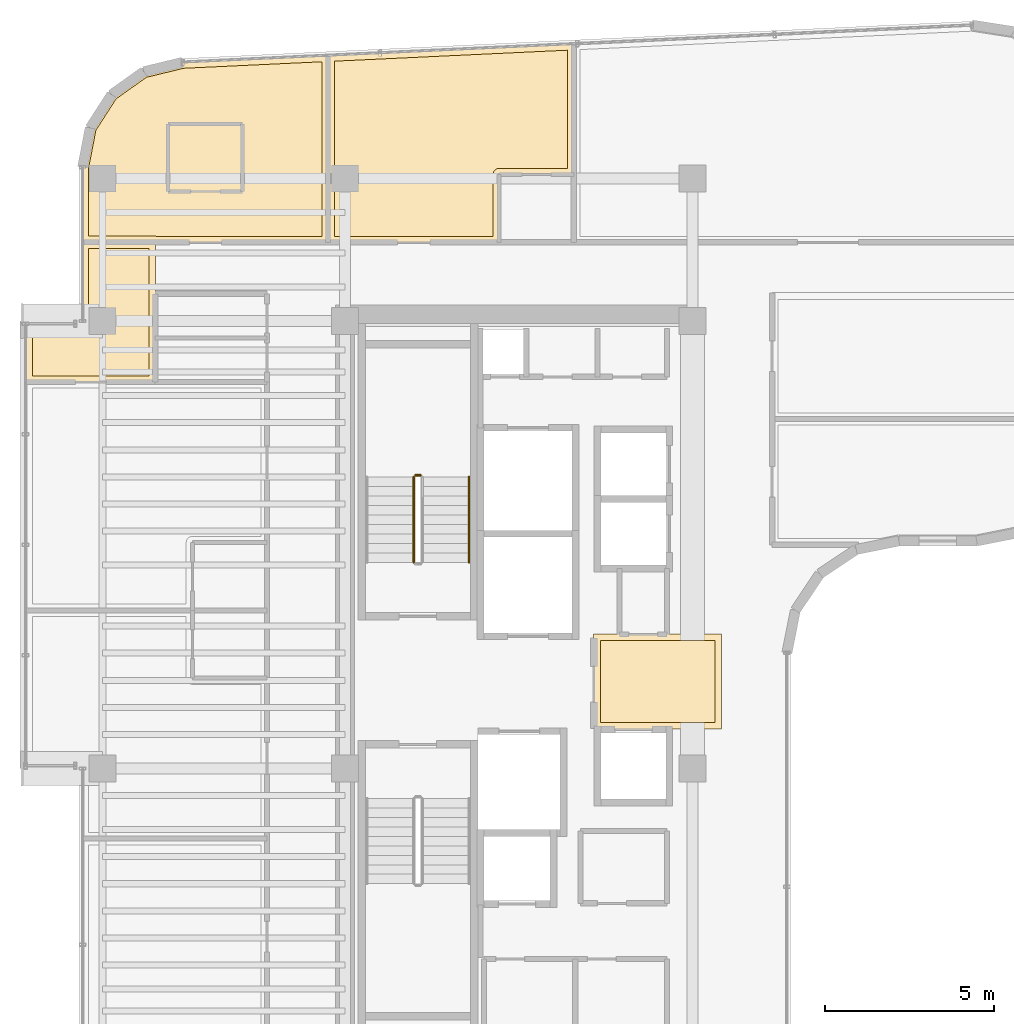
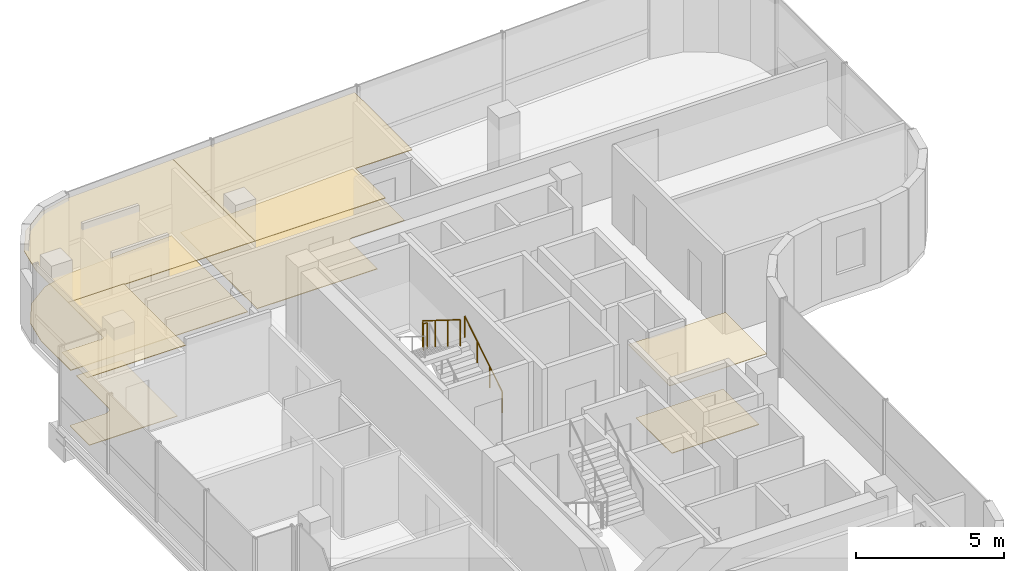
# One storey, part 19 of 20: 8 coverings, 3 railings.
"""IFC4 building model written with IfcOpenShell, lengths in metres."""

from ifc_helpers import new_model, si_unit, direction, frame, origin, origin_2d, place, context, subcontext, project, spatial, polyline, circle, outline, extrude, material, layer, layer_set, type_object, element, save


model = new_model("IFC4")

# Units and contexts
model_context = context("Model", 3, precision=1e-05, world=origin(), true_north=direction((0.0, 1.0)))
body_context = subcontext(model_context, "Body", "Model", "MODEL_VIEW")
ifc_project = project(units=[si_unit("LENGTHUNIT", "METRE"), si_unit("AREAUNIT", "SQUARE_METRE"), si_unit("VOLUMEUNIT", "CUBIC_METRE"), si_unit("PLANEANGLEUNIT", "RADIAN"), si_unit("MASSUNIT", "GRAM", prefix="KILO")], contexts=[model_context])

# Site, building, storey
site_placement = place(None, origin())
site = spatial("IfcSite", under=ifc_project, at=site_placement, CompositionType="ELEMENT")
building_placement = place(site_placement, origin())
building = spatial("IfcBuilding", under=site, at=building_placement, Name="Valdorenza Pilgrim Sanctuary Tower", CompositionType="ELEMENT")
storey_placement = place(building_placement, frame((0.0, 0.0, 280.0)))
storey = spatial("IfcBuildingStorey", under=building, at=storey_placement, Name="L73", CompositionType="ELEMENT", Elevation=280.0)

# Coverings
ifc_material_1 = material(Name="Micro-perforated acoustic mineral ceiling tile", Category="gypsum")
ifc_layer_1 = layer(ifc_material_1, 0.02490234375, Name="Micro-perforated acoustic mineral ceiling tile")
ifc_layer_set_1 = layer_set([ifc_layer_1], Name="Micro-perforated acoustic mineral ceiling tile")
covering_type_1 = type_object("IfcCoveringType", Name="COV-CLG-ACU", PredefinedType="CEILING", material=ifc_layer_set_1)
covering_1_placement = place(storey_placement, frame((0.0, 0.0, 2.9599609375)))
element("IfcCovering", 1, at=covering_1_placement, inside=storey, type_object=covering_type_1, Name="L73 Core A Passenger Lift Lobby Acoustic Ceiling", PredefinedType="CEILING", context=body_context, shape_type="SweptSolid", body=[
    extrude(outline(polyline([(-15.31494140625, 1.35009765625), (-15.31494140625, 1.3515625), (-15.314697265625, 1.352783203125), (-15.314453125, 1.3544921875), (-15.31396484375, 1.355712890625), (-15.313232421875, 1.357177734375), (-15.3125, 1.3583984375), (-15.3115234375, 1.359619140625), (-15.310546875, 1.360595703125), (-15.3095703125, 1.361572265625), (-15.308349609375, 1.362548828125), (-15.30712890625, 1.36328125), (-15.3056640625, 1.364013671875), (-15.304443359375, 1.364501953125), (-15.302978515625, 1.36474609375), (-15.301513671875, 1.364990234375), (-15.300048828125, 1.364990234375), (-11.550048828125, 1.364990234375), (-11.548583984375, 1.364990234375), (-11.547119140625, 1.36474609375), (-11.545654296875, 1.364501953125), (-11.544189453125, 1.364013671875), (-11.54296875, 1.36328125), (-11.541748046875, 1.362548828125), (-11.54052734375, 1.361572265625), (-11.539306640625, 1.360595703125), (-11.538330078125, 1.359619140625), (-11.53759765625, 1.3583984375), (-11.536865234375, 1.357177734375), (-11.5361328125, 1.355712890625), (-11.53564453125, 1.3544921875), (-11.535400390625, 1.352783203125), (-11.53515625, 1.3515625), (-11.534912109375, 1.35009765625), (-11.534912109375, -1.419921875), (-11.53515625, -1.42138671875), (-11.535400390625, -1.4228515625), (-11.53564453125, -1.42431640625), (-11.5361328125, -1.42578125), (-11.536865234375, -1.427001953125), (-11.53759765625, -1.42822265625), (-11.538330078125, -1.429443359375), (-11.539306640625, -1.4306640625), (-11.54052734375, -1.431640625), (-11.541748046875, -1.4326171875), (-11.54296875, -1.43310546875), (-11.544189453125, -1.433837890625), (-11.545654296875, -1.434326171875), (-11.547119140625, -1.434814453125), (-11.548583984375, -1.434814453125), (-11.550048828125, -1.43505859375), (-15.298095703125, -1.43505859375), (-15.299560546875, -1.434814453125), (-15.30078125, -1.434814453125), (-15.302490234375, -1.434326171875), (-15.3037109375, -1.433837890625), (-15.30517578125, -1.43310546875), (-15.306396484375, -1.4326171875), (-15.3076171875, -1.431640625), (-15.30859375, -1.4306640625), (-15.3095703125, -1.429443359375), (-15.310546875, -1.42822265625), (-15.311279296875, -1.427001953125), (-15.31201171875, -1.42578125), (-15.3125, -1.42431640625), (-15.312744140625, -1.4228515625), (-15.31298828125, -1.42138671875), (-15.31298828125, -1.419921875), (-15.31298828125, 1.244384765625), (-15.31298828125, 1.24462890625), (-15.313720703125, 1.24609375), (-15.314208984375, 1.24755859375), (-15.314697265625, 1.2490234375), (-15.31494140625, 1.25048828125), (-15.31494140625, 1.251953125), (-15.31494140625, 1.35009765625)])), origin(), (0.0, 0.0, 1.0), 0.025146484375),
])
covering_2_placement = place(storey_placement, frame((0.0, 0.0, 2.9599609375)))
element("IfcCovering", 2, at=covering_2_placement, inside=storey, type_object=covering_type_1, Name="L73 Pilgrim Scholar Office L73-WN Acoustic Ceiling", PredefinedType="CEILING", context=body_context, shape_type="SweptSolid", body=[
    extrude(outline(polyline([(-28.237060546875, 11.39453125), (-28.237060546875, 10.103759765625), (-28.23681640625, 10.10302734375), (-28.23681640625, 10.1015625), (-28.23681640625, 10.10009765625), (-28.23681640625, 10.098388671875), (-28.237060546875, 10.09814453125), (-28.237060546875, 8.800048828125), (-28.237060546875, 8.798583984375), (-28.2373046875, 8.797119140625), (-28.237548828125, 8.795654296875), (-28.238037109375, 8.794189453125), (-28.23876953125, 8.79296875), (-28.239501953125, 8.791748046875), (-28.240478515625, 8.79052734375), (-28.241455078125, 8.789306640625), (-28.242431640625, 8.788330078125), (-28.24365234375, 8.78759765625), (-28.244873046875, 8.786865234375), (-28.246337890625, 8.7861328125), (-28.24755859375, 8.78564453125), (-28.2490234375, 8.785400390625), (-28.25048828125, 8.78515625), (-28.251953125, 8.784912109375), (-32.0400390625, 8.784912109375), (-32.04150390625, 8.78515625), (-32.04296875, 8.785400390625), (-32.04443359375, 8.78564453125), (-32.045654296875, 8.7861328125), (-32.047119140625, 8.786865234375), (-32.04833984375, 8.78759765625), (-32.049560546875, 8.788330078125), (-32.050537109375, 8.789306640625), (-32.051513671875, 8.79052734375), (-32.052490234375, 8.791748046875), (-32.05322265625, 8.79296875), (-32.053955078125, 8.794189453125), (-32.054443359375, 8.795654296875), (-32.0546875, 8.797119140625), (-32.054931640625, 8.798583984375), (-32.054931640625, 8.800048828125), (-32.054931640625, 10.489990234375), (-32.054931640625, 10.491455078125), (-32.0546875, 10.492919921875), (-32.054443359375, 10.494384765625), (-32.053955078125, 10.49560546875), (-32.05322265625, 10.4970703125), (-32.052490234375, 10.498291015625), (-32.051513671875, 10.49951171875), (-32.050537109375, 10.50048828125), (-32.049560546875, 10.501708984375), (-32.04833984375, 10.50244140625), (-32.047119140625, 10.503173828125), (-32.045654296875, 10.50390625), (-32.04443359375, 10.50439453125), (-32.04296875, 10.504638671875), (-32.04150390625, 10.5048828125), (-32.0400390625, 10.5048828125), (-30.50048828125, 10.5048828125), (-30.49072265625, 10.505615234375), (-30.4814453125, 10.5068359375), (-30.472412109375, 10.509033203125), (-30.463623046875, 10.51220703125), (-30.455078125, 10.51611328125), (-30.447265625, 10.52099609375), (-30.439697265625, 10.526611328125), (-30.432861328125, 10.53271484375), (-30.426513671875, 10.539794921875), (-30.4208984375, 10.547119140625), (-30.416259765625, 10.55517578125), (-30.412109375, 10.563720703125), (-30.4091796875, 10.572509765625), (-30.40673828125, 10.58154296875), (-30.405517578125, 10.5908203125), (-30.405029296875, 10.600341796875), (-30.405029296875, 12.919921875), (-30.40478515625, 12.92138671875), (-30.40478515625, 12.9228515625), (-30.404296875, 12.92431640625), (-30.40380859375, 12.92578125), (-30.4033203125, 12.927001953125), (-30.402587890625, 12.92822265625), (-30.401611328125, 12.929443359375), (-30.400634765625, 12.9306640625), (-30.3994140625, 12.931640625), (-30.398193359375, 12.9326171875), (-30.397216796875, 12.93310546875), (-30.395751953125, 12.933837890625), (-30.394287109375, 12.934326171875), (-30.392822265625, 12.934814453125), (-30.3916015625, 12.934814453125), (-30.389892578125, 12.93505859375), (-28.25, 12.93505859375), (-28.24853515625, 12.934814453125), (-28.2470703125, 12.934814453125), (-28.24560546875, 12.934326171875), (-28.244384765625, 12.933837890625), (-28.242919921875, 12.93310546875), (-28.24169921875, 12.9326171875), (-28.240478515625, 12.931640625), (-28.239501953125, 12.9306640625), (-28.23828125, 12.929443359375), (-28.237548828125, 12.92822265625), (-28.23681640625, 12.927001953125), (-28.236083984375, 12.92578125), (-28.235595703125, 12.92431640625), (-28.2353515625, 12.9228515625), (-28.235107421875, 12.92138671875), (-28.235107421875, 12.919921875), (-28.235107421875, 11.402099609375), (-28.235107421875, 11.400390625), (-28.2353515625, 11.39892578125), (-28.235595703125, 11.3974609375), (-28.236083984375, 11.39599609375), (-28.23681640625, 11.394775390625), (-28.237060546875, 11.39453125)])), origin(), (0.0, 0.0, 1.0), 0.025146484375),
])
covering_3_placement = place(storey_placement, frame((0.0, 0.0, 2.9599609375)))
element("IfcCovering", 3, at=covering_3_placement, inside=storey, type_object=covering_type_1, Name="L73 North Grand Guest Room L73-N1A Acoustic Ceiling", PredefinedType="CEILING", context=body_context, shape_type="SweptSolid", body=[
    extrude(outline(polyline([(-30.181396484375, 16.298095703125), (-30.180908203125, 16.299560546875), (-30.180419921875, 16.30078125), (-30.179931640625, 16.30224609375), (-30.17919921875, 16.303466796875), (-29.547119140625, 17.286865234375), (-29.546142578125, 17.2880859375), (-29.545166015625, 17.2890625), (-29.544189453125, 17.2900390625), (-29.54296875, 17.291015625), (-28.59033203125, 17.968994140625), (-28.589111328125, 17.9697265625), (-28.587890625, 17.97021484375), (-28.586669921875, 17.970947265625), (-28.585205078125, 17.97119140625), (-27.438720703125, 18.248779296875), (-27.437255859375, 18.249267578125), (-27.435791015625, 18.249267578125), (-23.145751953125, 18.451416015625), (-23.144287109375, 18.451416015625), (-23.142578125, 18.451416015625), (-23.14111328125, 18.451171875), (-23.139892578125, 18.45068359375), (-23.138427734375, 18.449951171875), (-23.136962890625, 18.44921875), (-23.1357421875, 18.448486328125), (-23.134521484375, 18.447509765625), (-23.133544921875, 18.4462890625), (-23.1328125, 18.445068359375), (-23.1318359375, 18.44384765625), (-23.131103515625, 18.4423828125), (-23.130615234375, 18.44091796875), (-23.13037109375, 18.439697265625), (-23.130126953125, 18.43798828125), (-23.1298828125, 18.4365234375), (-23.1298828125, 12.919921875), (-23.130126953125, 12.91845703125), (-23.13037109375, 12.9169921875), (-23.130615234375, 12.91552734375), (-23.131103515625, 12.914306640625), (-23.1318359375, 12.912841796875), (-23.132568359375, 12.91162109375), (-23.13330078125, 12.910400390625), (-23.134521484375, 12.909423828125), (-23.135498046875, 12.908447265625), (-23.13671875, 12.907470703125), (-23.137939453125, 12.90673828125), (-23.139404296875, 12.906005859375), (-23.140625, 12.905517578125), (-23.14208984375, 12.9052734375), (-23.1435546875, 12.905029296875), (-23.14501953125, 12.905029296875), (-28.248046875, 12.905029296875), (-28.24951171875, 12.905029296875), (-28.250732421875, 12.9052734375), (-28.252197265625, 12.905517578125), (-28.253662109375, 12.906005859375), (-28.2548828125, 12.90673828125), (-28.25537109375, 12.906982421875), (-30.389892578125, 12.906982421875), (-30.3916015625, 12.906982421875), (-30.392822265625, 12.9072265625), (-30.394287109375, 12.90771484375), (-30.395751953125, 12.908203125), (-30.397216796875, 12.90869140625), (-30.398193359375, 12.909423828125), (-30.3994140625, 12.910400390625), (-30.400634765625, 12.911376953125), (-30.401611328125, 12.91259765625), (-30.402587890625, 12.913818359375), (-30.4033203125, 12.914794921875), (-30.40380859375, 12.916259765625), (-30.404296875, 12.91748046875), (-30.40478515625, 12.919189453125), (-30.40478515625, 12.92041015625), (-30.405029296875, 12.922119140625), (-30.405029296875, 15.13671875), (-30.40478515625, 15.13818359375), (-30.40478515625, 15.1396484375), (-30.181396484375, 16.298095703125)])), origin(), (0.0, 0.0, 1.0), 0.025146484375),
])
covering_4_placement = place(storey_placement, frame((0.0, 0.0, 2.9599609375)))
element("IfcCovering", 4, at=covering_4_placement, inside=storey, type_object=covering_type_1, Name="L73 North Grand Guest Room L73-N1B Acoustic Ceiling", PredefinedType="CEILING", context=body_context, shape_type="SweptSolid", body=[
    extrude(outline(polyline([(-23.157958984375, 18.4365234375), (-23.157958984375, 18.4375), (-23.15771484375, 18.438720703125), (-23.15771484375, 18.440185546875), (-23.156982421875, 18.441650390625), (-23.156494140625, 18.443115234375), (-23.156005859375, 18.4443359375), (-23.155029296875, 18.445556640625), (-23.154052734375, 18.44677734375), (-23.153076171875, 18.44775390625), (-23.15185546875, 18.44873046875), (-23.150634765625, 18.449462890625), (-23.1494140625, 18.4501953125), (-23.14794921875, 18.45068359375), (-23.146484375, 18.451171875), (-23.145263671875, 18.451416015625), (-23.143798828125, 18.45166015625), (-15.900634765625, 18.793212890625), (-15.899169921875, 18.793212890625), (-15.897705078125, 18.79296875), (-15.896240234375, 18.79248046875), (-15.894775390625, 18.7919921875), (-15.893310546875, 18.79150390625), (-15.89208984375, 18.790771484375), (-15.890869140625, 18.789794921875), (-15.8896484375, 18.7890625), (-15.888671875, 18.787841796875), (-15.8876953125, 18.78662109375), (-15.886962890625, 18.785400390625), (-15.88623046875, 18.783935546875), (-15.8857421875, 18.78271484375), (-15.88525390625, 18.781005859375), (-15.885009765625, 18.779541015625), (-15.885009765625, 18.778076171875), (-15.885009765625, 14.922119140625), (-15.885009765625, 14.92041015625), (-15.88525390625, 14.919189453125), (-15.885498046875, 14.91748046875), (-15.885986328125, 14.916259765625), (-15.88671875, 14.914794921875), (-15.887451171875, 14.913818359375), (-15.888427734375, 14.91259765625), (-15.889404296875, 14.911376953125), (-15.890380859375, 14.910400390625), (-15.8916015625, 14.909423828125), (-15.892822265625, 14.90869140625), (-15.894287109375, 14.908203125), (-15.8955078125, 14.90771484375), (-15.897216796875, 14.9072265625), (-15.8984375, 14.906982421875), (-15.89990234375, 14.906982421875), (-18.0869140625, 14.906982421875), (-18.0869140625, 12.919921875), (-18.087158203125, 12.91845703125), (-18.08740234375, 12.9169921875), (-18.087646484375, 12.91552734375), (-18.088134765625, 12.914306640625), (-18.0888671875, 12.912841796875), (-18.089599609375, 12.91162109375), (-18.09033203125, 12.910400390625), (-18.09130859375, 12.909423828125), (-18.092529296875, 12.908447265625), (-18.09375, 12.907470703125), (-18.094970703125, 12.90673828125), (-18.09619140625, 12.906005859375), (-18.09765625, 12.905517578125), (-18.09912109375, 12.9052734375), (-18.1005859375, 12.905029296875), (-18.10205078125, 12.905029296875), (-23.14306640625, 12.905029296875), (-23.14453125, 12.905029296875), (-23.14599609375, 12.9052734375), (-23.1474609375, 12.905517578125), (-23.148681640625, 12.906005859375), (-23.150146484375, 12.90673828125), (-23.1513671875, 12.907470703125), (-23.152587890625, 12.908447265625), (-23.153564453125, 12.909423828125), (-23.154541015625, 12.910400390625), (-23.155517578125, 12.91162109375), (-23.15625, 12.912841796875), (-23.156982421875, 12.914306640625), (-23.157470703125, 12.91552734375), (-23.15771484375, 12.9169921875), (-23.157958984375, 12.91845703125), (-23.157958984375, 12.919921875), (-23.157958984375, 18.4365234375), (-23.157958984375, 18.4365234375)])), origin(), (0.0, 0.0, 1.0), 0.025146484375),
])
ifc_material_2 = material(Name="Engineered European oak timber flooring", Category="wood")
ifc_layer_2 = layer(ifc_material_2, 0.02197265625, Name="Engineered European oak timber flooring")
ifc_layer_set_2 = layer_set([ifc_layer_2], Name="Engineered European oak timber flooring")
covering_type_2 = type_object("IfcCoveringType", Name="COV-FLR-OAK", PredefinedType="FLOORING", material=ifc_layer_set_2)
covering_5_placement = place(storey_placement, origin())
element("IfcCovering", 5, at=covering_5_placement, inside=storey, type_object=covering_type_2, Name="L73 North Grand Guest Room L73-N1A Flooring", PredefinedType="FLOORING", context=body_context, shape_type="SweptSolid", body=[
    extrude(outline(polyline([(-29.996337890625, 16.227294921875), (-29.401611328125, 17.152099609375), (-28.505615234375, 17.789794921875), (-27.409423828125, 18.055419921875), (-23.324951171875, 18.247802734375), (-23.324951171875, 13.10009765625), (-28.22314453125, 13.10009765625), (-28.22314453125, 13.10009765625), (-28.223388671875, 13.10009765625), (-28.240966796875, 13.101806640625), (-28.2412109375, 13.101806640625), (-28.25, 13.10205078125), (-30.2099609375, 13.10205078125), (-30.2099609375, 15.11962890625), (-29.996337890625, 16.227294921875)])), origin(), (0.0, 0.0, 1.0), 0.02490234375),
])
covering_6_placement = place(storey_placement, origin())
element("IfcCovering", 6, at=covering_6_placement, inside=storey, type_object=covering_type_2, Name="L73 North Grand Guest Room L73-N1B Flooring", PredefinedType="FLOORING", context=body_context, shape_type="SweptSolid", body=[
    extrude(outline(polyline([(-16.080078125, 18.58935546875), (-16.080078125, 15.10205078125), (-18.10009765625, 15.10205078125), (-18.10888671875, 15.101806640625), (-18.10888671875, 15.101806640625), (-18.126708984375, 15.10009765625), (-18.126708984375, 15.10009765625), (-18.14404296875, 15.0966796875), (-18.144287109375, 15.096435546875), (-18.1611328125, 15.09130859375), (-18.161376953125, 15.09130859375), (-18.177734375, 15.084716796875), (-18.177978515625, 15.08447265625), (-18.193603515625, 15.076171875), (-18.193603515625, 15.076171875), (-18.208251953125, 15.066162109375), (-18.20849609375, 15.066162109375), (-18.22216796875, 15.054931640625), (-18.222412109375, 15.0546875), (-18.23486328125, 15.042236328125), (-18.23486328125, 15.0419921875), (-18.24609375, 15.028564453125), (-18.24609375, 15.0283203125), (-18.256103515625, 15.013671875), (-18.256103515625, 15.013427734375), (-18.264404296875, 14.997802734375), (-18.2646484375, 14.997802734375), (-18.271240234375, 14.9814453125), (-18.271484375, 14.981201171875), (-18.276611328125, 14.96435546875), (-18.276611328125, 14.964111328125), (-18.280029296875, 14.94677734375), (-18.280029296875, 14.946533203125), (-18.28173828125, 14.928955078125), (-18.28173828125, 14.9287109375), (-18.281982421875, 14.919921875), (-18.281982421875, 13.10009765625), (-22.962890625, 13.10009765625), (-22.962890625, 18.264892578125), (-16.080078125, 18.58935546875)])), origin(), (0.0, 0.0, 1.0), 0.02490234375),
])
ifc_material_3 = material(Name="Honed travertine stone flooring", Category="masonry")
ifc_layer_3 = layer(ifc_material_3, 0.030029296875, Name="Honed travertine stone flooring")
ifc_layer_set_3 = layer_set([ifc_layer_3], Name="Honed travertine stone flooring")
covering_type_3 = type_object("IfcCoveringType", Name="COV-FLR-TRV", PredefinedType="FLOORING", material=ifc_layer_set_3)
covering_7_placement = place(storey_placement, origin())
element("IfcCovering", 7, at=covering_7_placement, inside=storey, type_object=covering_type_3, Name="L73 Core A Passenger Lift Lobby Flooring", PredefinedType="FLOORING", context=body_context, shape_type="SweptSolid", body=[
    extrude(outline(polyline([(-15.117919921875, 1.169921875), (-11.72998046875, 1.169921875), (-11.72998046875, -1.239990234375), (-15.117919921875, -1.239990234375), (-15.117919921875, 1.169921875)])), origin(), (0.0, 0.0, 1.0), 0.02490234375),
])
covering_8_placement = place(storey_placement, origin())
element("IfcCovering", 8, at=covering_8_placement, inside=storey, type_object=covering_type_3, Name="L73 Pilgrim Scholar Office L73-WN Flooring", PredefinedType="FLOORING", context=body_context, shape_type="SweptSolid", body=[
    extrude(outline(polyline([(-28.431884765625, 10.100341796875), (-28.431884765625, 10.10009765625), (-28.431884765625, 8.97998046875), (-31.860107421875, 8.97998046875), (-31.860107421875, 10.31005859375), (-30.5, 10.31005859375), (-30.4912109375, 10.310302734375), (-30.48046875, 10.310791015625), (-30.462890625, 10.3125), (-30.4521484375, 10.314208984375), (-30.434814453125, 10.3173828125), (-30.42431640625, 10.320068359375), (-30.407470703125, 10.3251953125), (-30.397216796875, 10.328857421875), (-30.380859375, 10.335693359375), (-30.37109375, 10.34033203125), (-30.355712890625, 10.3486328125), (-30.34619140625, 10.35400390625), (-30.331787109375, 10.364013671875), (-30.322998046875, 10.370361328125), (-30.309326171875, 10.381591796875), (-30.30126953125, 10.388916015625), (-30.288818359375, 10.4013671875), (-30.281494140625, 10.4091796875), (-30.2705078125, 10.423095703125), (-30.263916015625, 10.431640625), (-30.254150390625, 10.4462890625), (-30.24853515625, 10.45556640625), (-30.240234375, 10.47119140625), (-30.235595703125, 10.48095703125), (-30.22900390625, 10.497314453125), (-30.225341796875, 10.50732421875), (-30.22021484375, 10.5244140625), (-30.217529296875, 10.534912109375), (-30.214111328125, 10.552001953125), (-30.21240234375, 10.562744140625), (-30.210693359375, 10.580322265625), (-30.210205078125, 10.59130859375), (-30.2099609375, 10.60009765625), (-30.2099609375, 12.739990234375), (-28.429931640625, 12.739990234375), (-28.429931640625, 11.427001953125), (-28.429931640625, 11.4267578125), (-28.429931640625, 11.426513671875), (-28.431884765625, 11.408935546875), (-28.431884765625, 11.40869140625), (-28.431884765625, 11.39990234375), (-28.431884765625, 10.10205078125), (-28.431884765625, 10.10107421875), (-28.431884765625, 10.100341796875)])), origin(), (0.0, 0.0, 1.0), 0.02490234375),
])

# Railings
ifc_material_4 = material(Name="Stainless steel Grade 316", Category="steel")
railing_type_1 = type_object("IfcRailingType", Name="RLG-GRD-1120", PredefinedType="GUARDRAIL", material=ifc_material_4)
railing_1_placement = place(storey_placement, frame((-20.419921875, 6.050048828125, 1.75)))
element("IfcRailing", 9, at=railing_1_placement, inside=storey, type_object=railing_type_1, Name="L73 ST-A1 stair guard 2", PredefinedType="GUARDRAIL", context=body_context, shape_type="SweptSolid", body=[
    extrude(circle(Radius=0.02392578125, at=origin_2d()), frame((0.0, 0.0, 1.076171875), z_axis=(-1.0, 0.0, 0.0), x_axis=(0.0, -1.0, 0.0)), (0.0, 0.0, 1.0), 0.150146484375),
    extrude(circle(Radius=0.02099609375, at=origin_2d()), origin(), (0.0, 0.0, 1.0), 1.052001953125),
    extrude(circle(Radius=0.02099609375, at=origin_2d()), frame((-0.150146484375, 0.0, 0.0)), (0.0, 0.0, 1.0), 1.052001953125),
])
railing_2_placement = place(storey_placement, frame((-20.6201171875, 6.0, 1.925048828125)))
element("IfcRailing", 10, at=railing_2_placement, inside=storey, type_object=railing_type_1, Name="L73 ST-A1 stair guard 3", PredefinedType="GUARDRAIL", context=body_context, shape_type="SweptSolid", body=[
    extrude(circle(Radius=0.02392578125, at=origin_2d()), frame((0.0, 0.0, 1.076171875), z_axis=(0.0, -0.848007534815, 0.529984170421), x_axis=(1.0, 0.0, 0.0)), (0.0, 0.0, 1.0), 2.9716796875),
    extrude(circle(Radius=0.02099609375, at=origin_2d()), origin(), (0.0, 0.0, 1.0), 1.052001953125),
    extrude(circle(Radius=0.02099609375, at=origin_2d()), frame((0.0, -0.840087890625, 0.52490234375)), (0.0, 0.0, 1.0), 1.052001953125),
    extrude(circle(Radius=0.02099609375, at=origin_2d()), frame((0.0, -1.679931640625, 1.050048828125)), (0.0, 0.0, 1.0), 1.052001953125),
    extrude(circle(Radius=0.02099609375, at=origin_2d()), frame((0.0, -2.52001953125, 1.574951171875)), (0.0, 0.0, 1.0), 1.052001953125),
])
ifc_material_5 = material(Name="Brushed stainless steel Grade 316", Category="steel")
railing_type_2 = type_object("IfcRailingType", Name="RLG-HND-920", PredefinedType="HANDRAIL", material=ifc_material_5)
railing_3_placement = place(storey_placement, frame((-18.989990234375, 3.47998046875, 0.175048828125)))
element("IfcRailing", 11, at=railing_3_placement, inside=storey, type_object=railing_type_2, Name="L73 ST-A1 stair handrail 1", PredefinedType="HANDRAIL", context=body_context, shape_type="SweptSolid", body=[
    extrude(circle(Radius=0.02392578125, at=origin_2d()), frame((0.0, 0.0, 0.8759765625), z_axis=(0.0, 0.848007534815, 0.529984170421), x_axis=(-1.0, 0.0, 0.0)), (0.0, 0.0, 1.0), 2.9716796875),
    extrude(circle(Radius=0.02099609375, at=origin_2d()), origin(), (0.0, 0.0, 1.0), 0.851806640625),
    extrude(circle(Radius=0.02099609375, at=origin_2d()), frame((0.0, 0.840087890625, 0.52490234375)), (0.0, 0.0, 1.0), 0.851806640625),
    extrude(circle(Radius=0.02099609375, at=origin_2d()), frame((0.0, 1.679931640625, 1.050048828125)), (0.0, 0.0, 1.0), 0.851806640625),
    extrude(circle(Radius=0.02099609375, at=origin_2d()), frame((0.0, 2.52001953125, 1.574951171875)), (0.0, 0.0, 1.0), 0.851806640625),
])

save(model, "model.ifc")
